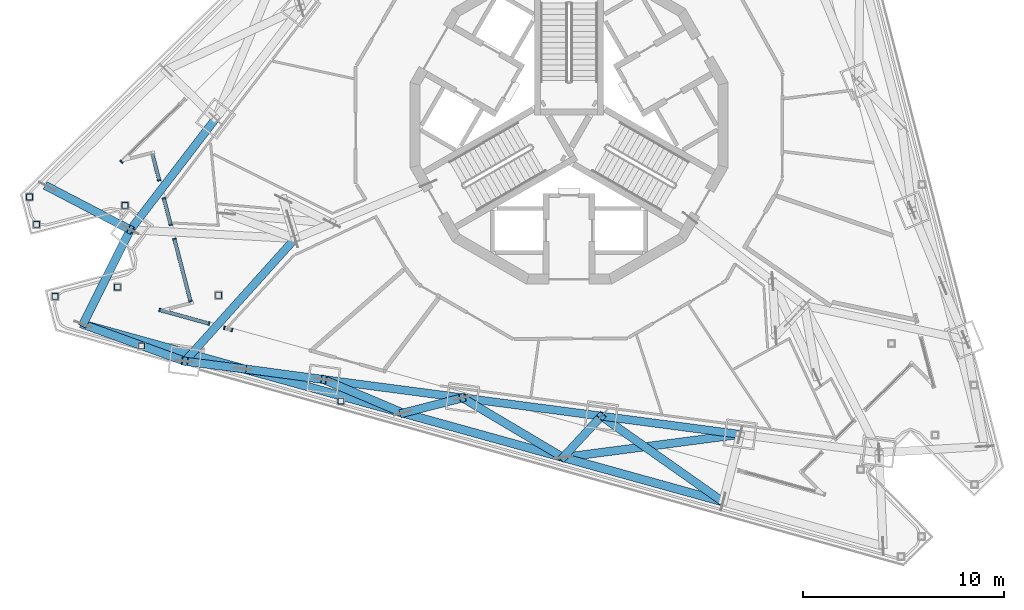
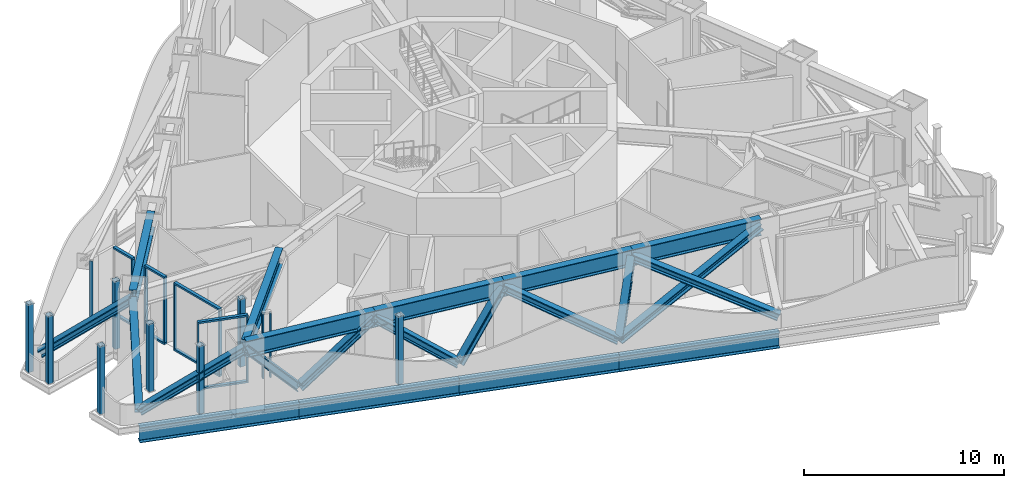
# One storey, part 1 of 22: 46 members, 1 beam, 6 elements without a shape of their own.
"""IFC4 building model written with IfcOpenShell, lengths in metres."""

from ifc_helpers import new_model, si_unit, direction, frame, origin, origin_2d, place, context, subcontext, project, spatial, rectangle, hollow_rectangle, i_section, extrude, material, layer, layer_set, material_profile, profile_set, type_object, element, aggregate, save


model = new_model("IFC4")

# Units and contexts
model_context = context("Model", 3, precision=1e-05, world=origin(), true_north=direction((0.0, 1.0)))
body_context = subcontext(model_context, "Body", "Model", "MODEL_VIEW")
ifc_project = project(units=[si_unit("LENGTHUNIT", "METRE"), si_unit("AREAUNIT", "SQUARE_METRE"), si_unit("VOLUMEUNIT", "CUBIC_METRE"), si_unit("PLANEANGLEUNIT", "RADIAN"), si_unit("MASSUNIT", "GRAM", prefix="KILO")], contexts=[model_context])

# Site, building, storey
site_placement = place(None, origin())
site = spatial("IfcSite", under=ifc_project, at=site_placement, CompositionType="ELEMENT")
building_placement = place(site_placement, origin())
building = spatial("IfcBuilding", under=site, at=building_placement, Name="Trine Commons Tower", CompositionType="ELEMENT")
storey_placement = place(building_placement, frame((0.0, 0.0, 267.300048828125)))
storey = spatial("IfcBuildingStorey", under=building, at=storey_placement, Name="L70", CompositionType="ELEMENT", Elevation=267.300048828125)

# Curtain wall, member
ifc_material_1 = material(Name="Sky lounge glazing: anodised aluminium frame with low-emissivity double glazed unit, solar control", Category="aluminium")
ifc_layer = layer(ifc_material_1, 0.179931640625)
ifc_layer_set = layer_set([ifc_layer], Name="Sky lounge glazing: anodised aluminium frame with low-emissivity double glazed unit, solar control")
curtain_wall_type = type_object("IfcCurtainWallType", Name="Sky lounge glazing curtain wall CW5", PredefinedType="NOTDEFINED", material=ifc_layer_set)
curtain_wall_1_placement = place(storey_placement, origin())
curtain_wall_1 = element("IfcCurtainWall", 1, at=curtain_wall_1_placement, inside=storey, type_object=curtain_wall_type, Name="Sky lounge glazing L70 F1.1", PredefinedType="NOTDEFINED")
ifc_material_2 = material(Name="Anodised aluminium, bronze finish", Category="aluminium")
ifc_material_profile_1 = material_profile(ifc_material_2, rectangle(XDim=0.179931640625, YDim=0.074951171875, at=origin_2d()), Name="Mullion 75x180")
ifc_profile_set_1 = profile_set([ifc_material_profile_1], Name="Anodised aluminium, bronze finish")
member_type_1 = type_object("IfcMemberType", Name="Mullion 75x180, Anodised aluminium, bronze finish", PredefinedType="MULLION", material=ifc_profile_set_1)
member_1_placement = place(storey_placement, frame((57.7119140625, 60.67138671875, 0.10986328125), z_axis=(0.0, 0.0, 1.0), x_axis=(-0.7009092643, 0.713250449154, 0.0)))
member_1 = element("IfcMember", 2, at=member_1_placement, type_object=member_type_1, Name="CW5 mullion 1.1", PredefinedType="MULLION", context=body_context, shape_type="SweptSolid", body=[
    extrude(rectangle(XDim=0.179931640625, YDim=0.074951171875, at=origin_2d()), origin(), (0.0, 0.0, 1.0), 3.93017578125),
])
aggregate(curtain_wall_1, [member_1])

# Curtain wall, members
curtain_wall_2_placement = place(storey_placement, origin())
curtain_wall_2 = element("IfcCurtainWall", 3, at=curtain_wall_2_placement, inside=storey, type_object=curtain_wall_type, Name="Sky lounge glazing L70 F3.2", PredefinedType="NOTDEFINED")
member_2_placement = place(storey_placement, frame((63.213134765625, 52.29736328125, 0.10986328125), z_axis=(0.0, 0.0, 1.0), x_axis=(-0.267238376078, -0.963630453209, 0.0)))
member_2 = element("IfcMember", 4, at=member_2_placement, type_object=member_type_1, Name="CW5 mullion 1.1", PredefinedType="MULLION", context=body_context, shape_type="SweptSolid", body=[
    extrude(rectangle(XDim=0.179931640625, YDim=0.074951171875, at=origin_2d()), origin(), (0.0, 0.0, 1.0), 3.93017578125),
])
member_3_placement = place(storey_placement, frame((62.842529296875, 52.400146484375, 0.10986328125), z_axis=(0.0, 0.0, 1.0), x_axis=(-0.267238376078, -0.963630453209, 0.0)))
member_3 = element("IfcMember", 5, at=member_3_placement, type_object=member_type_1, Name="CW5 mullion 2.1", PredefinedType="MULLION", context=body_context, shape_type="SweptSolid", body=[
    extrude(rectangle(XDim=0.179931640625, YDim=0.074951171875, at=origin_2d()), origin(), (0.0, 0.0, 1.0), 3.93017578125),
])
aggregate(curtain_wall_2, [member_2, member_3])

curtain_wall_3_placement = place(storey_placement, origin())
curtain_wall_3 = element("IfcCurtainWall", 6, at=curtain_wall_3_placement, inside=storey, type_object=curtain_wall_type, Name="Sky lounge glazing L70 F3.3", PredefinedType="NOTDEFINED")
member_4_placement = place(storey_placement, frame((62.063720703125, 52.6162109375, 0.10986328125), z_axis=(0.0, 0.0, 1.0), x_axis=(-0.267238376078, -0.963630453209, 0.0)))
member_4 = element("IfcMember", 7, at=member_4_placement, type_object=member_type_1, Name="CW5 mullion 1.1", PredefinedType="MULLION", context=body_context, shape_type="SweptSolid", body=[
    extrude(rectangle(XDim=0.179931640625, YDim=0.074951171875, at=origin_2d()), origin(), (0.0, 0.0, 1.0), 3.93017578125),
])
member_5_placement = place(storey_placement, frame((59.61962890625, 53.2939453125, 0.10986328125), z_axis=(0.0, 0.0, 1.0), x_axis=(-0.267238376078, -0.963630453209, 0.0)))
member_5 = element("IfcMember", 8, at=member_5_placement, type_object=member_type_1, Name="CW5 mullion 2.1", PredefinedType="MULLION", context=body_context, shape_type="SweptSolid", body=[
    extrude(rectangle(XDim=0.179931640625, YDim=0.074951171875, at=origin_2d()), origin(), (0.0, 0.0, 1.0), 3.93017578125),
])

curtain_wall_4_placement = place(storey_placement, origin())
curtain_wall_4 = element("IfcCurtainWall", 9, at=curtain_wall_4_placement, inside=storey, type_object=curtain_wall_type, Name="Sky lounge glazing L70 P3.1", PredefinedType="NOTDEFINED")
member_6_placement = place(storey_placement, frame((61.14794921875, 53.73828125, 0.10986328125), z_axis=(0.0, 0.0, 1.0), x_axis=(-0.968147640378, -0.250380004054, 0.0)))
member_6 = element("IfcMember", 10, at=member_6_placement, type_object=member_type_1, Name="CW5 mullion 1.1", PredefinedType="MULLION", context=body_context, shape_type="SweptSolid", body=[
    extrude(rectangle(XDim=0.179931640625, YDim=0.074951171875, at=origin_2d()), origin(), (0.0, 0.0, 1.0), 3.93017578125),
])
member_7_placement = place(storey_placement, frame((60.3505859375, 56.821044921875, 0.10986328125), z_axis=(0.0, 0.0, 1.0), x_axis=(-0.968147640378, -0.250380004054, 0.0)))
member_7 = element("IfcMember", 11, at=member_7_placement, type_object=member_type_1, Name="CW5 mullion 2.1", PredefinedType="MULLION", context=body_context, shape_type="SweptSolid", body=[
    extrude(rectangle(XDim=0.179931640625, YDim=0.074951171875, at=origin_2d()), origin(), (0.0, 0.0, 1.0), 3.93017578125),
])

curtain_wall_5_placement = place(storey_placement, origin())
curtain_wall_5 = element("IfcCurtainWall", 12, at=curtain_wall_5_placement, inside=storey, type_object=curtain_wall_type, Name="Sky lounge glazing L70 P3.2", PredefinedType="NOTDEFINED")
member_8_placement = place(storey_placement, frame((60.165283203125, 57.5380859375, 0.10986328125), z_axis=(0.0, 0.0, 1.0), x_axis=(-0.968147640378, -0.250380004054, 0.0)))
member_8 = element("IfcMember", 13, at=member_8_placement, type_object=member_type_1, Name="CW5 mullion 1.1", PredefinedType="MULLION", context=body_context, shape_type="SweptSolid", body=[
    extrude(rectangle(XDim=0.179931640625, YDim=0.074951171875, at=origin_2d()), origin(), (0.0, 0.0, 1.0), 3.93017578125),
])
member_9_placement = place(storey_placement, frame((59.826171875, 58.84912109375, 0.10986328125), z_axis=(0.0, 0.0, 1.0), x_axis=(-0.968147640378, -0.250380004054, 0.0)))
member_9 = element("IfcMember", 14, at=member_9_placement, type_object=member_type_1, Name="CW5 mullion 2.1", PredefinedType="MULLION", context=body_context, shape_type="SweptSolid", body=[
    extrude(rectangle(XDim=0.179931640625, YDim=0.074951171875, at=origin_2d()), origin(), (0.0, 0.0, 1.0), 3.93017578125),
])

# Curtain wall, member
curtain_wall_6_placement = place(storey_placement, origin())
curtain_wall_6 = element("IfcCurtainWall", 15, at=curtain_wall_6_placement, inside=storey, type_object=curtain_wall_type, Name="Sky lounge glazing L70 P3.3", PredefinedType="NOTDEFINED")
member_10_placement = place(storey_placement, frame((59.592041015625, 59.75439453125, 0.10986328125), z_axis=(0.0, 0.0, 1.0), x_axis=(-0.968147640378, -0.250380004054, 0.0)))
member_10 = element("IfcMember", 16, at=member_10_placement, type_object=member_type_1, Name="CW5 mullion 1.1", PredefinedType="MULLION", context=body_context, shape_type="SweptSolid", body=[
    extrude(rectangle(XDim=0.179931640625, YDim=0.074951171875, at=origin_2d()), origin(), (0.0, 0.0, 1.0), 3.93017578125),
])

# Beam
ifc_material_3 = material(Name="Structural steel ASTM A992 Gr50", Category="steel")
ifc_material_profile_2 = material_profile(ifc_material_3, i_section(OverallWidth=0.39990234375, OverallDepth=1.0, WebThickness=0.01904296875, FlangeThickness=0.0361328125, FilletRadius=0.02978515625, at=origin_2d()), Name="W40X249")
ifc_profile_set_2 = profile_set([ifc_material_profile_2], Name="Structural steel ASTM A992 Gr50")
beam_type = type_object("IfcBeamType", Name="Steel beam W40X249, ASTM A992 Gr50", PredefinedType="BEAM", material=ifc_profile_set_2)
beam_placement = place(storey_placement, frame((60.869384765625, 50.7392578125, 3.64990234375), z_axis=(0.668411336586, 0.743791829159, 0.0), x_axis=(-0.743791829159, 0.668411336586, 0.0)))
element("IfcBeam", 17, at=beam_placement, inside=storey, type_object=beam_type, Name="Transfer truss girder T7-UV-01", PredefinedType="BEAM", context=body_context, shape_type="SweptSolid", body=[
    extrude(i_section(OverallWidth=0.39990234375, OverallDepth=1.0, WebThickness=0.01904296875, FlangeThickness=0.0361328125, FilletRadius=0.02978515625, at=origin_2d()), origin(), (0.0, 0.0, 1.0), 8.216796875),
])

# Members
ifc_material_profile_3 = material_profile(ifc_material_3, i_section(OverallWidth=0.40966796875, OverallDepth=0.42529296875, WebThickness=0.03271484375, FlangeThickness=0.052490234375, FilletRadius=0.01513671875, at=origin_2d()), Name="W14X283")
ifc_profile_set_3 = profile_set([ifc_material_profile_3], Name="Structural steel ASTM A992 Gr50")
member_type_2 = type_object("IfcMemberType", Name="Steel brace W14X283, ASTM A992 Gr50", PredefinedType="BRACE", material=ifc_profile_set_3)
member_11_placement = place(storey_placement, frame((79.70068359375, 45.950439453125, 0.463623046875), z_axis=(0.933550448023, 0.121541648654, 0.337210896381), x_axis=(-0.12910334349, 0.991631144479, 0.0)))
element("IfcMember", 18, at=member_11_placement, inside=storey, type_object=member_type_2, Name="Transfer truss brace T7-DG-04", PredefinedType="BRACE", context=body_context, shape_type="SweptSolid", body=[
    extrude(i_section(OverallWidth=0.40966796875, OverallDepth=0.42529296875, WebThickness=0.03271484375, FlangeThickness=0.052490234375, FilletRadius=0.01513671875, at=origin_2d()), origin(), (0.0, 0.0, 1.0), 9.448974609375),
])
member_12_placement = place(storey_placement, frame((79.70068359375, 45.950439453125, 0.463623046875), z_axis=(0.449329830626, 0.484804751355, 0.750377942355), x_axis=(-0.733431354319, 0.679763523957, 0.0)))
element("IfcMember", 19, at=member_12_placement, inside=storey, type_object=member_type_2, Name="Transfer truss brace T7-DG-05", PredefinedType="BRACE", context=body_context, shape_type="SweptSolid", body=[
    extrude(i_section(OverallWidth=0.40966796875, OverallDepth=0.42529296875, WebThickness=0.03271484375, FlangeThickness=0.052490234375, FilletRadius=0.01513671875, at=origin_2d()), origin(), (0.0, 0.0, 1.0), 4.246337890625),
])
member_13_placement = place(storey_placement, frame((87.668701171875, 43.74072265625, 0.463623046875), z_axis=(-0.751108144332, 0.529031652863, 0.394920328405), x_axis=(-0.575838468751, -0.817563488609, 0.0)))
element("IfcMember", 20, at=member_13_placement, inside=storey, type_object=member_type_2, Name="Transfer truss brace T7-DG-06", PredefinedType="BRACE", context=body_context, shape_type="SweptSolid", body=[
    extrude(i_section(OverallWidth=0.40966796875, OverallDepth=0.42529296875, WebThickness=0.03271484375, FlangeThickness=0.052490234375, FilletRadius=0.01513671875, at=origin_2d()), origin(), (0.0, 0.0, 1.0), 8.068115234375),
])
member_14_placement = place(storey_placement, frame((71.73291015625, 48.16015625, 0.463623046875), z_axis=(0.670807881847, 0.171861697953, 0.721443235763), x_axis=(-0.248185206155, 0.968712601057, 0.0)))
element("IfcMember", 21, at=member_14_placement, inside=storey, type_object=member_type_2, Name="Transfer truss brace T7-DG-07", PredefinedType="BRACE", context=body_context, shape_type="SweptSolid", body=[
    extrude(i_section(OverallWidth=0.40966796875, OverallDepth=0.42529296875, WebThickness=0.03271484375, FlangeThickness=0.052490234375, FilletRadius=0.01513671875, at=origin_2d()), origin(), (0.0, 0.0, 1.0), 4.41650390625),
])
member_15_placement = place(storey_placement, frame((79.70068359375, 45.950439453125, 0.463623046875), z_axis=(-0.754404285892, 0.447468714524, 0.480256101419), x_axis=(-0.510151944719, -0.860084294299, 0.0)))
element("IfcMember", 22, at=member_15_placement, inside=storey, type_object=member_type_2, Name="Transfer truss brace T7-DG-08", PredefinedType="BRACE", context=body_context, shape_type="SweptSolid", body=[
    extrude(i_section(OverallWidth=0.40966796875, OverallDepth=0.42529296875, WebThickness=0.03271484375, FlangeThickness=0.052490234375, FilletRadius=0.01513671875, at=origin_2d()), origin(), (0.0, 0.0, 1.0), 6.634521484375),
])
member_16_placement = place(storey_placement, frame((63.764892578125, 50.369873046875, 0.463623046875), z_axis=(0.779183819037, -0.104879202672, 0.617958679038), x_axis=(0.133398361422, 0.991062499124, 0.0)))
element("IfcMember", 23, at=member_16_placement, inside=storey, type_object=member_type_2, Name="Transfer truss brace T7-DG-09", PredefinedType="BRACE", context=body_context, shape_type="SweptSolid", body=[
    extrude(i_section(OverallWidth=0.40966796875, OverallDepth=0.42529296875, WebThickness=0.03271484375, FlangeThickness=0.052490234375, FilletRadius=0.01513671875, at=origin_2d()), origin(), (0.0, 0.0, 1.0), 5.15625),
])
member_17_placement = place(storey_placement, frame((71.73291015625, 48.16015625, 0.463623046875), z_axis=(-0.739418100049, 0.312382555586, 0.596387468249), x_axis=(-0.389166364669, -0.921167487816, 0.0)))
element("IfcMember", 24, at=member_17_placement, inside=storey, type_object=member_type_2, Name="Transfer truss brace T7-DG-10", PredefinedType="BRACE", context=body_context, shape_type="SweptSolid", body=[
    extrude(i_section(OverallWidth=0.40966796875, OverallDepth=0.42529296875, WebThickness=0.03271484375, FlangeThickness=0.052490234375, FilletRadius=0.01513671875, at=origin_2d()), origin(), (0.0, 0.0, 1.0), 5.342529296875),
])
member_18_placement = place(storey_placement, frame((63.764892578125, 50.369873046875, 0.463623046875), z_axis=(-0.670070003941, 0.085481949069, 0.737359495905), x_axis=(-0.126546086265, -0.991960729087, 0.0)))
element("IfcMember", 25, at=member_18_placement, inside=storey, type_object=member_type_2, Name="Transfer truss brace T7-DG-11", PredefinedType="BRACE", context=body_context, shape_type="SweptSolid", body=[
    extrude(i_section(OverallWidth=0.40966796875, OverallDepth=0.42529296875, WebThickness=0.03271484375, FlangeThickness=0.052490234375, FilletRadius=0.01513671875, at=origin_2d()), origin(), (0.0, 0.0, 1.0), 4.3212890625),
])
member_19_placement = place(storey_placement, frame((55.796875, 52.57958984375, 0.463623046875), z_axis=(0.809459105144, -0.293675830706, 0.508458910393), x_axis=(0.341052745202, 0.940044161191, 0.0)))
element("IfcMember", 26, at=member_19_placement, inside=storey, type_object=member_type_2, Name="Transfer truss brace T7-DG-12", PredefinedType="BRACE", context=body_context, shape_type="SweptSolid", body=[
    extrude(i_section(OverallWidth=0.40966796875, OverallDepth=0.42529296875, WebThickness=0.03271484375, FlangeThickness=0.052490234375, FilletRadius=0.01513671875, at=origin_2d()), origin(), (0.0, 0.0, 1.0), 6.2666015625),
])
member_20_placement = place(storey_placement, frame((54.02197265625, 59.442626953125, 0.463623046875), z_axis=(0.732197763567, -0.38142596222, 0.564270033204), x_axis=(0.462003933535, 0.886877875132, 0.0)))
element("IfcMember", 27, at=member_20_placement, inside=storey, type_object=member_type_2, Name="Transfer truss brace T7-DG-13", PredefinedType="BRACE", context=body_context, shape_type="SweptSolid", body=[
    extrude(i_section(OverallWidth=0.40966796875, OverallDepth=0.42529296875, WebThickness=0.03271484375, FlangeThickness=0.052490234375, FilletRadius=0.01513671875, at=origin_2d()), origin(), (0.0, 0.0, 1.0), 5.646728515625),
])
member_21_placement = place(storey_placement, frame((55.796875, 52.57958984375, 0.463623046875), z_axis=(0.383300538036, 0.764975072755, 0.517584616855), x_axis=(-0.894046797291, 0.447973575396, 0.0)))
element("IfcMember", 28, at=member_21_placement, inside=storey, type_object=member_type_2, Name="Transfer truss brace T7-DG-14", PredefinedType="BRACE", context=body_context, shape_type="SweptSolid", body=[
    extrude(i_section(OverallWidth=0.40966796875, OverallDepth=0.42529296875, WebThickness=0.03271484375, FlangeThickness=0.052490234375, FilletRadius=0.01513671875, at=origin_2d()), origin(), (0.0, 0.0, 1.0), 6.156005859375),
])
ifc_material_profile_4 = material_profile(ifc_material_3, i_section(OverallWidth=0.419189453125, OverallDepth=0.927001953125, WebThickness=0.019287109375, FlangeThickness=0.031982421875, FilletRadius=0.024169921875, at=origin_2d()), Name="W36X231")
ifc_profile_set_4 = profile_set([ifc_material_profile_4], Name="Structural steel ASTM A992 Gr50")
member_type_3 = type_object("IfcMemberType", Name="Steel chord W36X231, ASTM A992 Gr50", PredefinedType="CHORD", material=ifc_profile_set_4)
member_22_placement = place(storey_placement, frame((87.668701171875, 43.74072265625, -0.91357421875), z_axis=(-0.963630766047, 0.267237248016, 0.0), x_axis=(-0.267237248016, -0.963630766047, 0.0)))
element("IfcMember", 29, at=member_22_placement, inside=storey, type_object=member_type_3, Name="Transfer truss chord T7-LC-02", PredefinedType="CHORD", context=body_context, shape_type="SweptSolid", body=[
    extrude(i_section(OverallWidth=0.419189453125, OverallDepth=0.927001953125, WebThickness=0.019287109375, FlangeThickness=0.031982421875, FilletRadius=0.024169921875, at=origin_2d()), origin(), (0.0, 0.0, 1.0), 8.268798828125),
])
member_23_placement = place(storey_placement, frame((79.70068359375, 45.950439453125, -0.91357421875), z_axis=(-0.963628657356, 0.267244851628, 0.0), x_axis=(-0.267244851628, -0.963628657356, 0.0)))
element("IfcMember", 30, at=member_23_placement, inside=storey, type_object=member_type_3, Name="Transfer truss chord T7-LC-03", PredefinedType="CHORD", context=body_context, shape_type="SweptSolid", body=[
    extrude(i_section(OverallWidth=0.419189453125, OverallDepth=0.927001953125, WebThickness=0.019287109375, FlangeThickness=0.031982421875, FilletRadius=0.024169921875, at=origin_2d()), origin(), (0.0, 0.0, 1.0), 8.2685546875),
])
for number, where, z_axis, x_axis, name in (
    (31, (71.73291015625, 48.16015625, -0.91357421875), (-0.963630766047, 0.267237248016, 0.0), (-0.267237248016, -0.963630766047, 0.0), "Transfer truss chord T7-LC-04"),
    (32, (63.764892578125, 50.369873046875, -0.91357421875), (-0.963630766047, 0.267237248016, 0.0), (-0.267237248016, -0.963630766047, 0.0), "Transfer truss chord T7-LC-05"),
):
    element("IfcMember", number, at=place(storey_placement, frame(where, z_axis=z_axis, x_axis=x_axis)), inside=storey, type_object=member_type_3, Name=name, PredefinedType="CHORD", context=body_context, shape_type="SweptSolid", body=[
        extrude(i_section(OverallWidth=0.419189453125, OverallDepth=0.927001953125, WebThickness=0.019287109375, FlangeThickness=0.031982421875, FilletRadius=0.024169921875, at=origin_2d()), origin(), (0.0, 0.0, 1.0), 8.268798828125),
    ])
ifc_material_profile_5 = material_profile(ifc_material_3, i_section(OverallWidth=0.39990234375, OverallDepth=1.0, WebThickness=0.01904296875, FlangeThickness=0.0361328125, FilletRadius=0.02978515625, at=origin_2d()), Name="W40X249")
ifc_profile_set_5 = profile_set([ifc_material_profile_5], Name="Structural steel ASTM A992 Gr50")
member_type_4 = type_object("IfcMemberType", Name="Steel chord W40X249, ASTM A992 Gr50", PredefinedType="CHORD", material=ifc_profile_set_5)
for number, where, z_axis, x_axis, name in (
    (33, (88.521728515625, 47.098876953125, 3.64990234375), (-0.991444281936, 0.130530593412, 0.0), (-0.130530593412, -0.991444281936, 0.0), "Transfer truss chord T7-UC-02"),
    (34, (81.608642578125, 48.009033203125, 3.64990234375), (-0.991444281936, 0.130530593412, 0.0), (-0.130530593412, -0.991444281936, 0.0), "Transfer truss chord T7-UC-03"),
    (35, (74.695556640625, 48.919189453125, 3.64990234375), (-0.991448812599, 0.130496176174, 0.0), (-0.130496176174, -0.991448812599, 0.0), "Transfer truss chord T7-UC-04"),
    (36, (67.782470703125, 49.8291015625, 3.64990234375), (-0.991444281936, 0.130530593412, 0.0), (-0.130530593412, -0.991444281936, 0.0), "Transfer truss chord T7-UC-05"),
    (37, (58.156494140625, 57.288818359375, 3.64990234375), (0.608781375451, 0.793338034449, 0.0), (-0.793338034449, 0.608781375451, 0.0), "Transfer truss chord T7-UC-06"),
):
    element("IfcMember", number, at=place(storey_placement, frame(where, z_axis=z_axis, x_axis=x_axis)), inside=storey, type_object=member_type_4, Name=name, PredefinedType="CHORD", context=body_context, shape_type="SweptSolid", body=[
        extrude(i_section(OverallWidth=0.39990234375, OverallDepth=1.0, WebThickness=0.01904296875, FlangeThickness=0.0361328125, FilletRadius=0.02978515625, at=origin_2d()), origin(), (0.0, 0.0, 1.0), 6.97265625),
    ])
ifc_material_4 = material(Name="Structural steel ASTM A500 Gr C", Category="steel")
ifc_material_profile_6 = material_profile(ifc_material_4, hollow_rectangle(XDim=0.3046875, YDim=0.3046875, WallThickness=0.014892578125, InnerFilletRadius=0.00732421875, OuterFilletRadius=0.022216796875, at=origin_2d()), Name="HSS12X12X5/8")
ifc_profile_set_6 = profile_set([ifc_material_profile_6], Name="Structural steel ASTM A500 Gr C")
member_type_5 = type_object("IfcMemberType", Name="Steel post HSS12X12X5/8, ASTM A500 Gr C", PredefinedType="POST", material=ifc_profile_set_6)
for number, where, z_axis, x_axis, name in (
    (38, (54.414794921875, 53.972412109375, 0.0), (0.0, 0.0, 1.0), (1.0, 0.0, 0.0), "Roof post SP7-11"),
    (39, (62.5498046875, 54.027099609375, 0.0), (0.0, 0.0, 1.0), (1.0, 0.0, 0.0), "Roof post SP7-12"),
    (40, (58.722412109375, 51.5087890625, 0.0), (0.0, 0.0, 1.0), (1.0, 0.0, 0.0), "Roof post SP7-13"),
    (41, (57.51220703125, 54.429931640625, 0.0), (0.0, 0.0, 1.0), (1.0, 0.0, 0.0), "Roof post SP7-14"),
    (42, (53.48828125, 57.554443359375, 0.0), (0.0, 0.0, 1.0), (1.0, 0.0, 0.0), "Roof post SP7-22"),
    (43, (57.89111328125, 58.503173828125, 0.0), (0.0, 0.0, 1.0), (1.0, 0.0, 0.0), "Roof post SP7-23"),
    (44, (53.135009765625, 58.921630859375, 0.0), (0.0, 0.0, 1.0), (1.0, 0.0, 0.0), "Roof post SP7-24"),
    (45, (68.6416015625, 48.7578125, 0.0), (0.0, 0.0, 1.0), (1.0, 0.0, 0.0), "Roof post SP7-41"),
):
    element("IfcMember", number, at=place(storey_placement, frame(where, z_axis=z_axis, x_axis=x_axis)), inside=storey, type_object=member_type_5, Name=name, PredefinedType="POST", context=body_context, shape_type="SweptSolid", body=[
        extrude(hollow_rectangle(XDim=0.3046875, YDim=0.3046875, WallThickness=0.014892578125, InnerFilletRadius=0.00732421875, OuterFilletRadius=0.022216796875, at=origin_2d()), origin(), (0.0, 0.0, 1.0), 4.14990234375),
    ])

# Member
ifc_material_profile_7 = material_profile(ifc_material_2, rectangle(XDim=0.179931640625, YDim=0.110107421875, at=origin_2d()), Name="Transom 110x180")
ifc_profile_set_7 = profile_set([ifc_material_profile_7], Name="Anodised aluminium, bronze finish")
member_type_6 = type_object("IfcMemberType", Name="Transom 110x180, Anodised aluminium, bronze finish", PredefinedType="USERDEFINED", material=ifc_profile_set_7)
member_24_placement = place(storey_placement, frame((62.099609375, 52.606201171875, 0.054931640625), z_axis=(-0.963633023579, 0.267229107451, 0.0), x_axis=(-0.267229107451, -0.963633023579, 0.0)))
member_24 = element("IfcMember", 46, at=member_24_placement, type_object=member_type_6, Name="CW5 transom T00", ObjectType="TRANSOM", PredefinedType="USERDEFINED", context=body_context, shape_type="SweptSolid", body=[
    extrude(rectangle(XDim=0.179931640625, YDim=0.110107421875, at=origin_2d()), origin(), (0.0, 0.0, 1.0), 2.611083984375),
])

member_25_placement = place(storey_placement, frame((62.099609375, 52.606201171875, 4.094970703125), z_axis=(-0.963633023579, 0.267229107451, 0.0), x_axis=(-0.267229107451, -0.963633023579, 0.0)))
member_25 = element("IfcMember", 47, at=member_25_placement, type_object=member_type_6, Name="CW5 transom TH00", ObjectType="TRANSOM", PredefinedType="USERDEFINED", context=body_context, shape_type="SweptSolid", body=[
    extrude(rectangle(XDim=0.179931640625, YDim=0.110107421875, at=origin_2d()), origin(), (0.0, 0.0, 1.0), 2.611083984375),
])

aggregate(curtain_wall_3, [member_24, member_25, member_4, member_5])

member_26_placement = place(storey_placement, frame((61.1572265625, 53.701904296875, 0.054931640625), z_axis=(-0.250335611526, 0.968159119981, 0.0), x_axis=(-0.968159119981, -0.250335611526, 0.0)))
member_26 = element("IfcMember", 48, at=member_26_placement, type_object=member_type_6, Name="CW5 transom T00", ObjectType="TRANSOM", PredefinedType="USERDEFINED", context=body_context, shape_type="SweptSolid", body=[
    extrude(rectangle(XDim=0.179931640625, YDim=0.110107421875, at=origin_2d()), origin(), (0.0, 0.0, 1.0), 3.25927734375),
])

member_27_placement = place(storey_placement, frame((61.1572265625, 53.701904296875, 4.094970703125), z_axis=(-0.250335611526, 0.968159119981, 0.0), x_axis=(-0.968159119981, -0.250335611526, 0.0)))
member_27 = element("IfcMember", 49, at=member_27_placement, type_object=member_type_6, Name="CW5 transom TH00", ObjectType="TRANSOM", PredefinedType="USERDEFINED", context=body_context, shape_type="SweptSolid", body=[
    extrude(rectangle(XDim=0.179931640625, YDim=0.110107421875, at=origin_2d()), origin(), (0.0, 0.0, 1.0), 3.25927734375),
])

aggregate(curtain_wall_4, [member_26, member_27, member_6, member_7])

member_28_placement = place(storey_placement, frame((60.174560546875, 57.501708984375, 0.054931640625), z_axis=(-0.250404904665, 0.968141200301, 0.0), x_axis=(-0.968141200301, -0.250404904665, 0.0)))
member_28 = element("IfcMember", 50, at=member_28_placement, type_object=member_type_6, Name="CW5 transom T00", ObjectType="TRANSOM", PredefinedType="USERDEFINED", context=body_context, shape_type="SweptSolid", body=[
    extrude(rectangle(XDim=0.179931640625, YDim=0.110107421875, at=origin_2d()), origin(), (0.0, 0.0, 1.0), 1.429443359375),
])

member_29_placement = place(storey_placement, frame((60.174560546875, 57.501708984375, 4.094970703125), z_axis=(-0.250404904665, 0.968141200301, 0.0), x_axis=(-0.968141200301, -0.250404904665, 0.0)))
member_29 = element("IfcMember", 51, at=member_29_placement, type_object=member_type_6, Name="CW5 transom TH00", ObjectType="TRANSOM", PredefinedType="USERDEFINED", context=body_context, shape_type="SweptSolid", body=[
    extrude(rectangle(XDim=0.179931640625, YDim=0.110107421875, at=origin_2d()), origin(), (0.0, 0.0, 1.0), 1.429443359375),
])

aggregate(curtain_wall_5, [member_28, member_29, member_8, member_9])

member_30_placement = place(storey_placement, frame((59.601318359375, 59.718017578125, 0.054931640625), z_axis=(-0.250320191934, 0.968163106873, 0.0), x_axis=(-0.968163106873, -0.250320191934, 0.0)))
member_30 = element("IfcMember", 52, at=member_30_placement, type_object=member_type_6, Name="CW5 transom T00", ObjectType="TRANSOM", PredefinedType="USERDEFINED", context=body_context, shape_type="SweptSolid", body=[
    extrude(rectangle(XDim=0.179931640625, YDim=0.110107421875, at=origin_2d()), origin(), (0.0, 0.0, 1.0), 1.385986328125),
])

member_31_placement = place(storey_placement, frame((59.601318359375, 59.718017578125, 4.094970703125), z_axis=(-0.250320191934, 0.968163106873, 0.0), x_axis=(-0.968163106873, -0.250320191934, 0.0)))
member_31 = element("IfcMember", 53, at=member_31_placement, type_object=member_type_6, Name="CW5 transom TH00", ObjectType="TRANSOM", PredefinedType="USERDEFINED", context=body_context, shape_type="SweptSolid", body=[
    extrude(rectangle(XDim=0.179931640625, YDim=0.110107421875, at=origin_2d()), origin(), (0.0, 0.0, 1.0), 1.385986328125),
])

aggregate(curtain_wall_6, [member_30, member_31, member_10])

save(model, "model.ifc")
